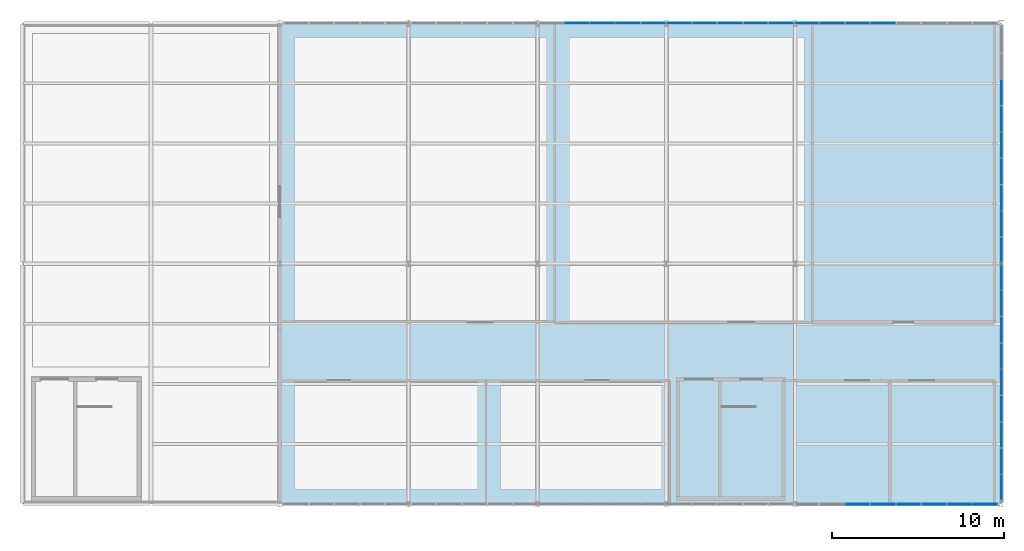
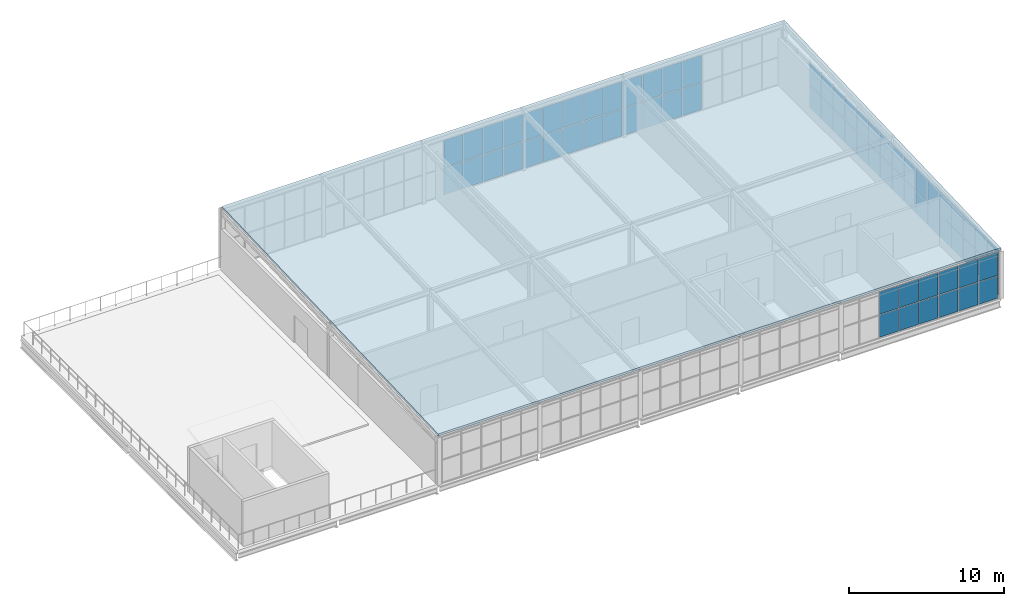
# One storey, part 24 of 27: 70 plates, 1 slab, 3 elements without a shape of their own.
"""IFC4 building model written with IfcOpenShell, lengths in metres."""

from ifc_helpers import new_model, si_unit, direction, frame, origin, origin_2d, place, context, subcontext, project, spatial, polyline, rectangle, outline, extrude, material, layer, layer_set, type_object, element, aggregate, save


model = new_model("IFC4")

# Units and contexts
model_context = context("Model", 3, precision=1e-05, world=origin(), true_north=direction((0.0, 1.0)))
body_context = subcontext(model_context, "Body", "Model", "MODEL_VIEW")
ifc_project = project(units=[si_unit("LENGTHUNIT", "METRE"), si_unit("AREAUNIT", "SQUARE_METRE"), si_unit("VOLUMEUNIT", "CUBIC_METRE"), si_unit("PLANEANGLEUNIT", "RADIAN"), si_unit("MASSUNIT", "GRAM", prefix="KILO")], contexts=[model_context])

# Site, building, storey
site_placement = place(None, origin())
site = spatial("IfcSite", under=ifc_project, at=site_placement, CompositionType="ELEMENT")
building_placement = place(site_placement, origin())
building = spatial("IfcBuilding", under=site, at=building_placement, Name="Solvenia Promenade Tram Depot", CompositionType="ELEMENT")
storey_placement = place(building_placement, frame((0.0, 0.0, 13.5)))
storey = spatial("IfcBuildingStorey", under=building, at=storey_placement, Name="L03", CompositionType="ELEMENT", Elevation=13.5)

# Curtain wall, plates
ifc_material_1 = material(Name="Anodized aluminium AW-6063 T6", Category="aluminium")
ifc_layer_1 = layer(ifc_material_1, 0.199951171875, Name="Anodized aluminium AW-6063 T6", Category="aluminium")
ifc_layer_set_1 = layer_set([ifc_layer_1], Name="Anodized aluminium AW-6063 T6")
curtain_wall_type = type_object("IfcCurtainWallType", Name="CW-OCC-1500", PredefinedType="NOTDEFINED", material=ifc_layer_set_1)
curtain_wall_1_placement = place(storey_placement, origin())
curtain_wall_1 = element("IfcCurtainWall", 1, at=curtain_wall_1_placement, inside=storey, type_object=curtain_wall_type, Name="Curtain Wall CW-L03-V2N", PredefinedType="NOTDEFINED")
ifc_material_2 = material(Name="Double low-e argon insulated glass", Category="glass")
ifc_layer_2 = layer(ifc_material_2, 0.031982421875, Name="Double low-e argon insulated glass", Category="glass")
ifc_layer_set_2 = layer_set([ifc_layer_2], Name="Double low-e argon insulated glass")
plate_type_1 = type_object("IfcPlateType", Name="CWP-Panel-2", PredefinedType="CURTAIN_PANEL", material=ifc_layer_set_2)
plate_1_placement = place(storey_placement, frame((137.28564453125, 66.0, 0.05517578125), z_axis=(0.0, 0.0, 1.0), x_axis=(1.0, 0.0, 0.0)))
plate_1 = element("IfcPlate", 2, at=plate_1_placement, type_object=plate_type_1, Name="CW-8 panel 12.1", PredefinedType="CURTAIN_PANEL", context=body_context, shape_type="SweptSolid", body=[
    extrude(rectangle(XDim=1.4306640625, YDim=0.031982421875, at=origin_2d()), origin(), (0.0, 0.0, 1.0), 2.117431640625),
])
plate_2_placement = place(storey_placement, frame((137.28564453125, 66.0, 2.2275390625), z_axis=(0.0, 0.0, 1.0), x_axis=(1.0, 0.0, 0.0)))
plate_2 = element("IfcPlate", 3, at=plate_2_placement, type_object=plate_type_1, Name="CW-8 panel 12.2", PredefinedType="CURTAIN_PANEL", context=body_context, shape_type="SweptSolid", body=[
    extrude(rectangle(XDim=1.4306640625, YDim=0.031982421875, at=origin_2d()), origin(), (0.0, 0.0, 1.0), 2.117431640625),
])
plate_3_placement = place(storey_placement, frame((138.771484375, 66.0, 0.05517578125), z_axis=(0.0, 0.0, 1.0), x_axis=(1.0, 0.0, 0.0)))
plate_3 = element("IfcPlate", 4, at=plate_3_placement, type_object=plate_type_1, Name="CW-8 panel 13.1", PredefinedType="CURTAIN_PANEL", context=body_context, shape_type="SweptSolid", body=[
    extrude(rectangle(XDim=1.4306640625, YDim=0.031982421875, at=origin_2d()), origin(), (0.0, 0.0, 1.0), 2.117431640625),
])
plate_4_placement = place(storey_placement, frame((138.771484375, 66.0, 2.2275390625), z_axis=(0.0, 0.0, 1.0), x_axis=(1.0, 0.0, 0.0)))
plate_4 = element("IfcPlate", 5, at=plate_4_placement, type_object=plate_type_1, Name="CW-8 panel 13.2", PredefinedType="CURTAIN_PANEL", context=body_context, shape_type="SweptSolid", body=[
    extrude(rectangle(XDim=1.4306640625, YDim=0.031982421875, at=origin_2d()), origin(), (0.0, 0.0, 1.0), 2.117431640625),
])
plate_5_placement = place(storey_placement, frame((140.257080078125, 66.0, 0.05517578125), z_axis=(0.0, 0.0, 1.0), x_axis=(1.0, 0.0, 0.0)))
plate_5 = element("IfcPlate", 6, at=plate_5_placement, type_object=plate_type_1, Name="CW-8 panel 14.1", PredefinedType="CURTAIN_PANEL", context=body_context, shape_type="SweptSolid", body=[
    extrude(rectangle(XDim=1.4306640625, YDim=0.031982421875, at=origin_2d()), origin(), (0.0, 0.0, 1.0), 2.117431640625),
])
plate_6_placement = place(storey_placement, frame((140.257080078125, 66.0, 2.2275390625), z_axis=(0.0, 0.0, 1.0), x_axis=(1.0, 0.0, 0.0)))
plate_6 = element("IfcPlate", 7, at=plate_6_placement, type_object=plate_type_1, Name="CW-8 panel 14.2", PredefinedType="CURTAIN_PANEL", context=body_context, shape_type="SweptSolid", body=[
    extrude(rectangle(XDim=1.4306640625, YDim=0.031982421875, at=origin_2d()), origin(), (0.0, 0.0, 1.0), 2.117431640625),
])
plate_7_placement = place(storey_placement, frame((141.742919921875, 66.0, 0.05517578125), z_axis=(0.0, 0.0, 1.0), x_axis=(1.0, 0.0, 0.0)))
plate_7 = element("IfcPlate", 8, at=plate_7_placement, type_object=plate_type_1, Name="CW-8 panel 15.1", PredefinedType="CURTAIN_PANEL", context=body_context, shape_type="SweptSolid", body=[
    extrude(rectangle(XDim=1.4306640625, YDim=0.031982421875, at=origin_2d()), origin(), (0.0, 0.0, 1.0), 2.117431640625),
])
plate_8_placement = place(storey_placement, frame((141.742919921875, 66.0, 2.2275390625), z_axis=(0.0, 0.0, 1.0), x_axis=(1.0, 0.0, 0.0)))
plate_8 = element("IfcPlate", 9, at=plate_8_placement, type_object=plate_type_1, Name="CW-8 panel 15.2", PredefinedType="CURTAIN_PANEL", context=body_context, shape_type="SweptSolid", body=[
    extrude(rectangle(XDim=1.4306640625, YDim=0.031982421875, at=origin_2d()), origin(), (0.0, 0.0, 1.0), 2.117431640625),
])
plate_9_placement = place(storey_placement, frame((143.228515625, 66.0, 0.05517578125), z_axis=(0.0, 0.0, 1.0), x_axis=(1.0, 0.0, 0.0)))
plate_9 = element("IfcPlate", 10, at=plate_9_placement, type_object=plate_type_1, Name="CW-8 panel 16.1", PredefinedType="CURTAIN_PANEL", context=body_context, shape_type="SweptSolid", body=[
    extrude(rectangle(XDim=1.4306640625, YDim=0.031982421875, at=origin_2d()), origin(), (0.0, 0.0, 1.0), 2.117431640625),
])
plate_10_placement = place(storey_placement, frame((143.228515625, 66.0, 2.2275390625), z_axis=(0.0, 0.0, 1.0), x_axis=(1.0, 0.0, 0.0)))
plate_10 = element("IfcPlate", 11, at=plate_10_placement, type_object=plate_type_1, Name="CW-8 panel 16.2", PredefinedType="CURTAIN_PANEL", context=body_context, shape_type="SweptSolid", body=[
    extrude(rectangle(XDim=1.4306640625, YDim=0.031982421875, at=origin_2d()), origin(), (0.0, 0.0, 1.0), 2.117431640625),
])
plate_11_placement = place(storey_placement, frame((144.71435546875, 66.0, 0.05517578125), z_axis=(0.0, 0.0, 1.0), x_axis=(1.0, 0.0, 0.0)))
plate_11 = element("IfcPlate", 12, at=plate_11_placement, type_object=plate_type_1, Name="CW-8 panel 17.1", PredefinedType="CURTAIN_PANEL", context=body_context, shape_type="SweptSolid", body=[
    extrude(rectangle(XDim=1.4306640625, YDim=0.031982421875, at=origin_2d()), origin(), (0.0, 0.0, 1.0), 2.117431640625),
])
plate_12_placement = place(storey_placement, frame((144.71435546875, 66.0, 2.2275390625), z_axis=(0.0, 0.0, 1.0), x_axis=(1.0, 0.0, 0.0)))
plate_12 = element("IfcPlate", 13, at=plate_12_placement, type_object=plate_type_1, Name="CW-8 panel 17.2", PredefinedType="CURTAIN_PANEL", context=body_context, shape_type="SweptSolid", body=[
    extrude(rectangle(XDim=1.4306640625, YDim=0.031982421875, at=origin_2d()), origin(), (0.0, 0.0, 1.0), 2.117431640625),
])
plate_13_placement = place(storey_placement, frame((146.199951171875, 66.0, 0.05517578125), z_axis=(0.0, 0.0, 1.0), x_axis=(1.0, 0.0, 0.0)))
plate_13 = element("IfcPlate", 14, at=plate_13_placement, type_object=plate_type_1, Name="CW-8 panel 18.1", PredefinedType="CURTAIN_PANEL", context=body_context, shape_type="SweptSolid", body=[
    extrude(rectangle(XDim=1.4306640625, YDim=0.031982421875, at=origin_2d()), origin(), (0.0, 0.0, 1.0), 2.117431640625),
])
plate_14_placement = place(storey_placement, frame((146.199951171875, 66.0, 2.2275390625), z_axis=(0.0, 0.0, 1.0), x_axis=(1.0, 0.0, 0.0)))
plate_14 = element("IfcPlate", 15, at=plate_14_placement, type_object=plate_type_1, Name="CW-8 panel 18.2", PredefinedType="CURTAIN_PANEL", context=body_context, shape_type="SweptSolid", body=[
    extrude(rectangle(XDim=1.4306640625, YDim=0.031982421875, at=origin_2d()), origin(), (0.0, 0.0, 1.0), 2.117431640625),
])
plate_15_placement = place(storey_placement, frame((147.685791015625, 66.0, 0.05517578125), z_axis=(0.0, 0.0, 1.0), x_axis=(1.0, 0.0, 0.0)))
plate_15 = element("IfcPlate", 16, at=plate_15_placement, type_object=plate_type_1, Name="CW-8 panel 19.1", PredefinedType="CURTAIN_PANEL", context=body_context, shape_type="SweptSolid", body=[
    extrude(rectangle(XDim=1.4306640625, YDim=0.031982421875, at=origin_2d()), origin(), (0.0, 0.0, 1.0), 2.117431640625),
])
plate_16_placement = place(storey_placement, frame((147.685791015625, 66.0, 2.2275390625), z_axis=(0.0, 0.0, 1.0), x_axis=(1.0, 0.0, 0.0)))
plate_16 = element("IfcPlate", 17, at=plate_16_placement, type_object=plate_type_1, Name="CW-8 panel 19.2", PredefinedType="CURTAIN_PANEL", context=body_context, shape_type="SweptSolid", body=[
    extrude(rectangle(XDim=1.4306640625, YDim=0.031982421875, at=origin_2d()), origin(), (0.0, 0.0, 1.0), 2.117431640625),
])
plate_17_placement = place(storey_placement, frame((149.17138671875, 66.0, 0.05517578125), z_axis=(0.0, 0.0, 1.0), x_axis=(1.0, 0.0, 0.0)))
plate_17 = element("IfcPlate", 18, at=plate_17_placement, type_object=plate_type_1, Name="CW-8 panel 20.1", PredefinedType="CURTAIN_PANEL", context=body_context, shape_type="SweptSolid", body=[
    extrude(rectangle(XDim=1.4306640625, YDim=0.031982421875, at=origin_2d()), origin(), (0.0, 0.0, 1.0), 2.117431640625),
])
plate_18_placement = place(storey_placement, frame((149.17138671875, 66.0, 2.2275390625), z_axis=(0.0, 0.0, 1.0), x_axis=(1.0, 0.0, 0.0)))
plate_18 = element("IfcPlate", 19, at=plate_18_placement, type_object=plate_type_1, Name="CW-8 panel 20.2", PredefinedType="CURTAIN_PANEL", context=body_context, shape_type="SweptSolid", body=[
    extrude(rectangle(XDim=1.4306640625, YDim=0.031982421875, at=origin_2d()), origin(), (0.0, 0.0, 1.0), 2.117431640625),
])
plate_19_placement = place(storey_placement, frame((150.6572265625, 66.0, 0.05517578125), z_axis=(0.0, 0.0, 1.0), x_axis=(1.0, 0.0, 0.0)))
plate_19 = element("IfcPlate", 20, at=plate_19_placement, type_object=plate_type_1, Name="CW-8 panel 21.1", PredefinedType="CURTAIN_PANEL", context=body_context, shape_type="SweptSolid", body=[
    extrude(rectangle(XDim=1.4306640625, YDim=0.031982421875, at=origin_2d()), origin(), (0.0, 0.0, 1.0), 2.117431640625),
])
plate_20_placement = place(storey_placement, frame((150.6572265625, 66.0, 2.2275390625), z_axis=(0.0, 0.0, 1.0), x_axis=(1.0, 0.0, 0.0)))
plate_20 = element("IfcPlate", 21, at=plate_20_placement, type_object=plate_type_1, Name="CW-8 panel 21.2", PredefinedType="CURTAIN_PANEL", context=body_context, shape_type="SweptSolid", body=[
    extrude(rectangle(XDim=1.4306640625, YDim=0.031982421875, at=origin_2d()), origin(), (0.0, 0.0, 1.0), 2.117431640625),
])
plate_21_placement = place(storey_placement, frame((152.142822265625, 66.0, 0.05517578125), z_axis=(0.0, 0.0, 1.0), x_axis=(1.0, 0.0, 0.0)))
plate_21 = element("IfcPlate", 22, at=plate_21_placement, type_object=plate_type_1, Name="CW-8 panel 22.1", PredefinedType="CURTAIN_PANEL", context=body_context, shape_type="SweptSolid", body=[
    extrude(rectangle(XDim=1.4306640625, YDim=0.031982421875, at=origin_2d()), origin(), (0.0, 0.0, 1.0), 2.117431640625),
])
plate_22_placement = place(storey_placement, frame((152.142822265625, 66.0, 2.2275390625), z_axis=(0.0, 0.0, 1.0), x_axis=(1.0, 0.0, 0.0)))
plate_22 = element("IfcPlate", 23, at=plate_22_placement, type_object=plate_type_1, Name="CW-8 panel 22.2", PredefinedType="CURTAIN_PANEL", context=body_context, shape_type="SweptSolid", body=[
    extrude(rectangle(XDim=1.4306640625, YDim=0.031982421875, at=origin_2d()), origin(), (0.0, 0.0, 1.0), 2.117431640625),
])
plate_23_placement = place(storey_placement, frame((153.628662109375, 66.0, 0.05517578125), z_axis=(0.0, 0.0, 1.0), x_axis=(1.0, 0.0, 0.0)))
plate_23 = element("IfcPlate", 24, at=plate_23_placement, type_object=plate_type_1, Name="CW-8 panel 23.1", PredefinedType="CURTAIN_PANEL", context=body_context, shape_type="SweptSolid", body=[
    extrude(rectangle(XDim=1.4306640625, YDim=0.031982421875, at=origin_2d()), origin(), (0.0, 0.0, 1.0), 2.117431640625),
])
plate_24_placement = place(storey_placement, frame((153.628662109375, 66.0, 2.2275390625), z_axis=(0.0, 0.0, 1.0), x_axis=(1.0, 0.0, 0.0)))
plate_24 = element("IfcPlate", 25, at=plate_24_placement, type_object=plate_type_1, Name="CW-8 panel 23.2", PredefinedType="CURTAIN_PANEL", context=body_context, shape_type="SweptSolid", body=[
    extrude(rectangle(XDim=1.4306640625, YDim=0.031982421875, at=origin_2d()), origin(), (0.0, 0.0, 1.0), 2.117431640625),
])
plate_25_placement = place(storey_placement, frame((155.1142578125, 66.0, 0.05517578125), z_axis=(0.0, 0.0, 1.0), x_axis=(1.0, 0.0, 0.0)))
plate_25 = element("IfcPlate", 26, at=plate_25_placement, type_object=plate_type_1, Name="CW-8 panel 24.1", PredefinedType="CURTAIN_PANEL", context=body_context, shape_type="SweptSolid", body=[
    extrude(rectangle(XDim=1.4306640625, YDim=0.031982421875, at=origin_2d()), origin(), (0.0, 0.0, 1.0), 2.117431640625),
])
plate_26_placement = place(storey_placement, frame((155.1142578125, 66.0, 2.2275390625), z_axis=(0.0, 0.0, 1.0), x_axis=(1.0, 0.0, 0.0)))
plate_26 = element("IfcPlate", 27, at=plate_26_placement, type_object=plate_type_1, Name="CW-8 panel 24.2", PredefinedType="CURTAIN_PANEL", context=body_context, shape_type="SweptSolid", body=[
    extrude(rectangle(XDim=1.4306640625, YDim=0.031982421875, at=origin_2d()), origin(), (0.0, 0.0, 1.0), 2.117431640625),
])
aggregate(curtain_wall_1, [plate_1, plate_2, plate_3, plate_4, plate_5, plate_6, plate_7, plate_8, plate_9, plate_10, plate_11, plate_12, plate_13, plate_14, plate_15, plate_16, plate_17, plate_18, plate_19, plate_20, plate_21, plate_22, plate_23, plate_24, plate_25, plate_26])

curtain_wall_2_placement = place(storey_placement, origin())
curtain_wall_2 = element("IfcCurtainWall", 28, at=curtain_wall_2_placement, inside=storey, type_object=curtain_wall_type, Name="Curtain Wall CW-L03-V2S", PredefinedType="NOTDEFINED")
ifc_layer_3 = layer(ifc_material_2, 0.035888671875, Name="Double low-e argon insulated glass", Category="glass")
ifc_layer_set_3 = layer_set([ifc_layer_3], Name="Double low-e argon insulated glass")
plate_type_2 = type_object("IfcPlateType", Name="CWP-Panel-3", PredefinedType="CURTAIN_PANEL", material=ifc_layer_set_3)
plate_27_placement = place(storey_placement, frame((153.628662109375, 38.0, 0.05810546875), z_axis=(0.0, 0.0, 1.0), x_axis=(1.0, 0.0, 0.0)))
plate_27 = element("IfcPlate", 29, at=plate_27_placement, type_object=plate_type_2, Name="CW-8 panel 23.1", PredefinedType="CURTAIN_PANEL", context=body_context, shape_type="SweptSolid", body=[
    extrude(rectangle(XDim=1.437744140625, YDim=0.035888671875, at=origin_2d()), origin(), (0.0, 0.0, 1.0), 1.762939453125),
])
plate_28_placement = place(storey_placement, frame((153.628662109375, 38.0, 1.87890625), z_axis=(0.0, 0.0, 1.0), x_axis=(1.0, 0.0, 0.0)))
plate_28 = element("IfcPlate", 30, at=plate_28_placement, type_object=plate_type_2, Name="CW-8 panel 23.2", PredefinedType="CURTAIN_PANEL", context=body_context, shape_type="SweptSolid", body=[
    extrude(rectangle(XDim=1.437744140625, YDim=0.035888671875, at=origin_2d()), origin(), (0.0, 0.0, 1.0), 1.762939453125),
])
plate_29_placement = place(storey_placement, frame((155.1142578125, 38.0, 0.05810546875), z_axis=(0.0, 0.0, 1.0), x_axis=(1.0, 0.0, 0.0)))
plate_29 = element("IfcPlate", 31, at=plate_29_placement, type_object=plate_type_2, Name="CW-8 panel 24.1", PredefinedType="CURTAIN_PANEL", context=body_context, shape_type="SweptSolid", body=[
    extrude(rectangle(XDim=1.437744140625, YDim=0.035888671875, at=origin_2d()), origin(), (0.0, 0.0, 1.0), 1.762939453125),
])
plate_30_placement = place(storey_placement, frame((155.1142578125, 38.0, 1.87890625), z_axis=(0.0, 0.0, 1.0), x_axis=(1.0, 0.0, 0.0)))
plate_30 = element("IfcPlate", 32, at=plate_30_placement, type_object=plate_type_2, Name="CW-8 panel 24.2", PredefinedType="CURTAIN_PANEL", context=body_context, shape_type="SweptSolid", body=[
    extrude(rectangle(XDim=1.437744140625, YDim=0.035888671875, at=origin_2d()), origin(), (0.0, 0.0, 1.0), 1.762939453125),
])
plate_31_placement = place(storey_placement, frame((156.60009765625, 38.0, 0.05810546875), z_axis=(0.0, 0.0, 1.0), x_axis=(1.0, 0.0, 0.0)))
plate_31 = element("IfcPlate", 33, at=plate_31_placement, type_object=plate_type_2, Name="CW-8 panel 25.1", PredefinedType="CURTAIN_PANEL", context=body_context, shape_type="SweptSolid", body=[
    extrude(rectangle(XDim=1.437744140625, YDim=0.035888671875, at=origin_2d()), origin(), (0.0, 0.0, 1.0), 1.762939453125),
])
plate_32_placement = place(storey_placement, frame((156.60009765625, 38.0, 1.87890625), z_axis=(0.0, 0.0, 1.0), x_axis=(1.0, 0.0, 0.0)))
plate_32 = element("IfcPlate", 34, at=plate_32_placement, type_object=plate_type_2, Name="CW-8 panel 25.2", PredefinedType="CURTAIN_PANEL", context=body_context, shape_type="SweptSolid", body=[
    extrude(rectangle(XDim=1.437744140625, YDim=0.035888671875, at=origin_2d()), origin(), (0.0, 0.0, 1.0), 1.762939453125),
])
plate_33_placement = place(storey_placement, frame((158.085693359375, 38.0, 0.05810546875), z_axis=(0.0, 0.0, 1.0), x_axis=(1.0, 0.0, 0.0)))
plate_33 = element("IfcPlate", 35, at=plate_33_placement, type_object=plate_type_2, Name="CW-8 panel 26.1", PredefinedType="CURTAIN_PANEL", context=body_context, shape_type="SweptSolid", body=[
    extrude(rectangle(XDim=1.437744140625, YDim=0.035888671875, at=origin_2d()), origin(), (0.0, 0.0, 1.0), 1.762939453125),
])
plate_34_placement = place(storey_placement, frame((158.085693359375, 38.0, 1.87890625), z_axis=(0.0, 0.0, 1.0), x_axis=(1.0, 0.0, 0.0)))
plate_34 = element("IfcPlate", 36, at=plate_34_placement, type_object=plate_type_2, Name="CW-8 panel 26.2", PredefinedType="CURTAIN_PANEL", context=body_context, shape_type="SweptSolid", body=[
    extrude(rectangle(XDim=1.437744140625, YDim=0.035888671875, at=origin_2d()), origin(), (0.0, 0.0, 1.0), 1.762939453125),
])
plate_35_placement = place(storey_placement, frame((159.571533203125, 38.0, 0.05810546875), z_axis=(0.0, 0.0, 1.0), x_axis=(1.0, 0.0, 0.0)))
plate_35 = element("IfcPlate", 37, at=plate_35_placement, type_object=plate_type_2, Name="CW-8 panel 27.1", PredefinedType="CURTAIN_PANEL", context=body_context, shape_type="SweptSolid", body=[
    extrude(rectangle(XDim=1.437744140625, YDim=0.035888671875, at=origin_2d()), origin(), (0.0, 0.0, 1.0), 1.762939453125),
])
plate_36_placement = place(storey_placement, frame((159.571533203125, 38.0, 1.87890625), z_axis=(0.0, 0.0, 1.0), x_axis=(1.0, 0.0, 0.0)))
plate_36 = element("IfcPlate", 38, at=plate_36_placement, type_object=plate_type_2, Name="CW-8 panel 27.2", PredefinedType="CURTAIN_PANEL", context=body_context, shape_type="SweptSolid", body=[
    extrude(rectangle(XDim=1.437744140625, YDim=0.035888671875, at=origin_2d()), origin(), (0.0, 0.0, 1.0), 1.762939453125),
])
plate_37_placement = place(storey_placement, frame((161.045166015625, 38.0, 0.05810546875), z_axis=(0.0, 0.0, 1.0), x_axis=(1.0, 0.0, 0.0)))
plate_37 = element("IfcPlate", 39, at=plate_37_placement, type_object=plate_type_2, Name="CW-8 panel 28.1", PredefinedType="CURTAIN_PANEL", context=body_context, shape_type="SweptSolid", body=[
    extrude(rectangle(XDim=1.413818359375, YDim=0.035888671875, at=origin_2d()), origin(), (0.0, 0.0, 1.0), 1.762939453125),
])
plate_38_placement = place(storey_placement, frame((161.045166015625, 38.0, 1.87890625), z_axis=(0.0, 0.0, 1.0), x_axis=(1.0, 0.0, 0.0)))
plate_38 = element("IfcPlate", 40, at=plate_38_placement, type_object=plate_type_2, Name="CW-8 panel 28.2", PredefinedType="CURTAIN_PANEL", context=body_context, shape_type="SweptSolid", body=[
    extrude(rectangle(XDim=1.413818359375, YDim=0.035888671875, at=origin_2d()), origin(), (0.0, 0.0, 1.0), 1.762939453125),
])
aggregate(curtain_wall_2, [plate_27, plate_28, plate_29, plate_30, plate_31, plate_32, plate_33, plate_34, plate_35, plate_36, plate_37, plate_38])

curtain_wall_3_placement = place(storey_placement, origin())
curtain_wall_3 = element("IfcCurtainWall", 41, at=curtain_wall_3_placement, inside=storey, type_object=curtain_wall_type, Name="Curtain Wall CW-L03-V2E", PredefinedType="NOTDEFINED")
plate_39_placement = place(storey_placement, frame((162.0, 38.978759765625, 0.05810546875), z_axis=(0.0, 0.0, 1.0), x_axis=(0.0, 1.0, 0.0)))
plate_39 = element("IfcPlate", 42, at=plate_39_placement, type_object=plate_type_2, Name="CW-8 panel 1.1", PredefinedType="CURTAIN_PANEL", context=body_context, shape_type="SweptSolid", body=[
    extrude(rectangle(XDim=1.46142578125, YDim=0.035888671875, at=origin_2d()), origin(), (0.0, 0.0, 1.0), 1.762939453125),
])
plate_40_placement = place(storey_placement, frame((162.0, 38.978759765625, 1.87890625), z_axis=(0.0, 0.0, 1.0), x_axis=(0.0, 1.0, 0.0)))
plate_40 = element("IfcPlate", 43, at=plate_40_placement, type_object=plate_type_2, Name="CW-8 panel 1.2", PredefinedType="CURTAIN_PANEL", context=body_context, shape_type="SweptSolid", body=[
    extrude(rectangle(XDim=1.46142578125, YDim=0.035888671875, at=origin_2d()), origin(), (0.0, 0.0, 1.0), 1.762939453125),
])
plate_41_placement = place(storey_placement, frame((162.0, 40.5, 0.05810546875), z_axis=(0.0, 0.0, 1.0), x_axis=(0.0, 1.0, 0.0)))
plate_41 = element("IfcPlate", 44, at=plate_41_placement, type_object=plate_type_2, Name="CW-8 panel 2.1", PredefinedType="CURTAIN_PANEL", context=body_context, shape_type="SweptSolid", body=[
    extrude(rectangle(XDim=1.4853515625, YDim=0.035888671875, at=origin_2d()), origin(), (0.0, 0.0, 1.0), 1.762939453125),
])
plate_42_placement = place(storey_placement, frame((162.0, 40.5, 1.87890625), z_axis=(0.0, 0.0, 1.0), x_axis=(0.0, 1.0, 0.0)))
plate_42 = element("IfcPlate", 45, at=plate_42_placement, type_object=plate_type_2, Name="CW-8 panel 2.2", PredefinedType="CURTAIN_PANEL", context=body_context, shape_type="SweptSolid", body=[
    extrude(rectangle(XDim=1.4853515625, YDim=0.035888671875, at=origin_2d()), origin(), (0.0, 0.0, 1.0), 1.762939453125),
])
plate_43_placement = place(storey_placement, frame((162.0, 42.033447265625, 0.05810546875), z_axis=(0.0, 0.0, 1.0), x_axis=(0.0, 1.0, 0.0)))
plate_43 = element("IfcPlate", 46, at=plate_43_placement, type_object=plate_type_2, Name="CW-8 panel 3.1", PredefinedType="CURTAIN_PANEL", context=body_context, shape_type="SweptSolid", body=[
    extrude(rectangle(XDim=1.4853515625, YDim=0.035888671875, at=origin_2d()), origin(), (0.0, 0.0, 1.0), 1.762939453125),
])
plate_44_placement = place(storey_placement, frame((162.0, 42.033447265625, 1.87890625), z_axis=(0.0, 0.0, 1.0), x_axis=(0.0, 1.0, 0.0)))
plate_44 = element("IfcPlate", 47, at=plate_44_placement, type_object=plate_type_2, Name="CW-8 panel 3.2", PredefinedType="CURTAIN_PANEL", context=body_context, shape_type="SweptSolid", body=[
    extrude(rectangle(XDim=1.4853515625, YDim=0.035888671875, at=origin_2d()), origin(), (0.0, 0.0, 1.0), 1.762939453125),
])
plate_45_placement = place(storey_placement, frame((162.0, 43.566650390625, 0.05810546875), z_axis=(0.0, 0.0, 1.0), x_axis=(0.0, 1.0, 0.0)))
plate_45 = element("IfcPlate", 48, at=plate_45_placement, type_object=plate_type_2, Name="CW-8 panel 4.1", PredefinedType="CURTAIN_PANEL", context=body_context, shape_type="SweptSolid", body=[
    extrude(rectangle(XDim=1.4853515625, YDim=0.035888671875, at=origin_2d()), origin(), (0.0, 0.0, 1.0), 1.762939453125),
])
plate_46_placement = place(storey_placement, frame((162.0, 43.566650390625, 1.87890625), z_axis=(0.0, 0.0, 1.0), x_axis=(0.0, 1.0, 0.0)))
plate_46 = element("IfcPlate", 49, at=plate_46_placement, type_object=plate_type_2, Name="CW-8 panel 4.2", PredefinedType="CURTAIN_PANEL", context=body_context, shape_type="SweptSolid", body=[
    extrude(rectangle(XDim=1.4853515625, YDim=0.035888671875, at=origin_2d()), origin(), (0.0, 0.0, 1.0), 1.762939453125),
])
plate_47_placement = place(storey_placement, frame((162.0, 45.10009765625, 0.05810546875), z_axis=(0.0, 0.0, 1.0), x_axis=(0.0, 1.0, 0.0)))
plate_47 = element("IfcPlate", 50, at=plate_47_placement, type_object=plate_type_2, Name="CW-8 panel 5.1", PredefinedType="CURTAIN_PANEL", context=body_context, shape_type="SweptSolid", body=[
    extrude(rectangle(XDim=1.4853515625, YDim=0.035888671875, at=origin_2d()), origin(), (0.0, 0.0, 1.0), 1.762939453125),
])
plate_48_placement = place(storey_placement, frame((162.0, 45.10009765625, 1.87890625), z_axis=(0.0, 0.0, 1.0), x_axis=(0.0, 1.0, 0.0)))
plate_48 = element("IfcPlate", 51, at=plate_48_placement, type_object=plate_type_2, Name="CW-8 panel 5.2", PredefinedType="CURTAIN_PANEL", context=body_context, shape_type="SweptSolid", body=[
    extrude(rectangle(XDim=1.4853515625, YDim=0.035888671875, at=origin_2d()), origin(), (0.0, 0.0, 1.0), 1.762939453125),
])
plate_49_placement = place(storey_placement, frame((162.0, 46.63330078125, 0.05810546875), z_axis=(0.0, 0.0, 1.0), x_axis=(0.0, 1.0, 0.0)))
plate_49 = element("IfcPlate", 52, at=plate_49_placement, type_object=plate_type_2, Name="CW-8 panel 6.1", PredefinedType="CURTAIN_PANEL", context=body_context, shape_type="SweptSolid", body=[
    extrude(rectangle(XDim=1.4853515625, YDim=0.035888671875, at=origin_2d()), origin(), (0.0, 0.0, 1.0), 1.762939453125),
])
plate_50_placement = place(storey_placement, frame((162.0, 46.63330078125, 1.87890625), z_axis=(0.0, 0.0, 1.0), x_axis=(0.0, 1.0, 0.0)))
plate_50 = element("IfcPlate", 53, at=plate_50_placement, type_object=plate_type_2, Name="CW-8 panel 6.2", PredefinedType="CURTAIN_PANEL", context=body_context, shape_type="SweptSolid", body=[
    extrude(rectangle(XDim=1.4853515625, YDim=0.035888671875, at=origin_2d()), origin(), (0.0, 0.0, 1.0), 1.762939453125),
])
plate_51_placement = place(storey_placement, frame((162.0, 48.166748046875, 0.05810546875), z_axis=(0.0, 0.0, 1.0), x_axis=(0.0, 1.0, 0.0)))
plate_51 = element("IfcPlate", 54, at=plate_51_placement, type_object=plate_type_2, Name="CW-8 panel 7.1", PredefinedType="CURTAIN_PANEL", context=body_context, shape_type="SweptSolid", body=[
    extrude(rectangle(XDim=1.4853515625, YDim=0.035888671875, at=origin_2d()), origin(), (0.0, 0.0, 1.0), 1.762939453125),
])
plate_52_placement = place(storey_placement, frame((162.0, 48.166748046875, 1.87890625), z_axis=(0.0, 0.0, 1.0), x_axis=(0.0, 1.0, 0.0)))
plate_52 = element("IfcPlate", 55, at=plate_52_placement, type_object=plate_type_2, Name="CW-8 panel 7.2", PredefinedType="CURTAIN_PANEL", context=body_context, shape_type="SweptSolid", body=[
    extrude(rectangle(XDim=1.4853515625, YDim=0.035888671875, at=origin_2d()), origin(), (0.0, 0.0, 1.0), 1.762939453125),
])
plate_53_placement = place(storey_placement, frame((162.0, 49.699951171875, 0.05810546875), z_axis=(0.0, 0.0, 1.0), x_axis=(0.0, 1.0, 0.0)))
plate_53 = element("IfcPlate", 56, at=plate_53_placement, type_object=plate_type_2, Name="CW-8 panel 8.1", PredefinedType="CURTAIN_PANEL", context=body_context, shape_type="SweptSolid", body=[
    extrude(rectangle(XDim=1.4853515625, YDim=0.035888671875, at=origin_2d()), origin(), (0.0, 0.0, 1.0), 1.762939453125),
])
plate_54_placement = place(storey_placement, frame((162.0, 49.699951171875, 1.87890625), z_axis=(0.0, 0.0, 1.0), x_axis=(0.0, 1.0, 0.0)))
plate_54 = element("IfcPlate", 57, at=plate_54_placement, type_object=plate_type_2, Name="CW-8 panel 8.2", PredefinedType="CURTAIN_PANEL", context=body_context, shape_type="SweptSolid", body=[
    extrude(rectangle(XDim=1.4853515625, YDim=0.035888671875, at=origin_2d()), origin(), (0.0, 0.0, 1.0), 1.762939453125),
])
plate_55_placement = place(storey_placement, frame((162.0, 51.2333984375, 0.05810546875), z_axis=(0.0, 0.0, 1.0), x_axis=(0.0, 1.0, 0.0)))
plate_55 = element("IfcPlate", 58, at=plate_55_placement, type_object=plate_type_2, Name="CW-8 panel 9.1", PredefinedType="CURTAIN_PANEL", context=body_context, shape_type="SweptSolid", body=[
    extrude(rectangle(XDim=1.4853515625, YDim=0.035888671875, at=origin_2d()), origin(), (0.0, 0.0, 1.0), 1.762939453125),
])
plate_56_placement = place(storey_placement, frame((162.0, 51.2333984375, 1.87890625), z_axis=(0.0, 0.0, 1.0), x_axis=(0.0, 1.0, 0.0)))
plate_56 = element("IfcPlate", 59, at=plate_56_placement, type_object=plate_type_2, Name="CW-8 panel 9.2", PredefinedType="CURTAIN_PANEL", context=body_context, shape_type="SweptSolid", body=[
    extrude(rectangle(XDim=1.4853515625, YDim=0.035888671875, at=origin_2d()), origin(), (0.0, 0.0, 1.0), 1.762939453125),
])
plate_57_placement = place(storey_placement, frame((162.0, 52.7666015625, 0.05810546875), z_axis=(0.0, 0.0, 1.0), x_axis=(0.0, 1.0, 0.0)))
plate_57 = element("IfcPlate", 60, at=plate_57_placement, type_object=plate_type_2, Name="CW-8 panel 10.1", PredefinedType="CURTAIN_PANEL", context=body_context, shape_type="SweptSolid", body=[
    extrude(rectangle(XDim=1.4853515625, YDim=0.035888671875, at=origin_2d()), origin(), (0.0, 0.0, 1.0), 1.762939453125),
])
plate_58_placement = place(storey_placement, frame((162.0, 52.7666015625, 1.87890625), z_axis=(0.0, 0.0, 1.0), x_axis=(0.0, 1.0, 0.0)))
plate_58 = element("IfcPlate", 61, at=plate_58_placement, type_object=plate_type_2, Name="CW-8 panel 10.2", PredefinedType="CURTAIN_PANEL", context=body_context, shape_type="SweptSolid", body=[
    extrude(rectangle(XDim=1.4853515625, YDim=0.035888671875, at=origin_2d()), origin(), (0.0, 0.0, 1.0), 1.762939453125),
])
plate_59_placement = place(storey_placement, frame((162.0, 54.300048828125, 0.05810546875), z_axis=(0.0, 0.0, 1.0), x_axis=(0.0, 1.0, 0.0)))
plate_59 = element("IfcPlate", 62, at=plate_59_placement, type_object=plate_type_2, Name="CW-8 panel 11.1", PredefinedType="CURTAIN_PANEL", context=body_context, shape_type="SweptSolid", body=[
    extrude(rectangle(XDim=1.4853515625, YDim=0.035888671875, at=origin_2d()), origin(), (0.0, 0.0, 1.0), 1.762939453125),
])
plate_60_placement = place(storey_placement, frame((162.0, 54.300048828125, 1.87890625), z_axis=(0.0, 0.0, 1.0), x_axis=(0.0, 1.0, 0.0)))
plate_60 = element("IfcPlate", 63, at=plate_60_placement, type_object=plate_type_2, Name="CW-8 panel 11.2", PredefinedType="CURTAIN_PANEL", context=body_context, shape_type="SweptSolid", body=[
    extrude(rectangle(XDim=1.4853515625, YDim=0.035888671875, at=origin_2d()), origin(), (0.0, 0.0, 1.0), 1.762939453125),
])
plate_61_placement = place(storey_placement, frame((162.0, 55.833251953125, 0.05810546875), z_axis=(0.0, 0.0, 1.0), x_axis=(0.0, 1.0, 0.0)))
plate_61 = element("IfcPlate", 64, at=plate_61_placement, type_object=plate_type_2, Name="CW-8 panel 12.1", PredefinedType="CURTAIN_PANEL", context=body_context, shape_type="SweptSolid", body=[
    extrude(rectangle(XDim=1.4853515625, YDim=0.035888671875, at=origin_2d()), origin(), (0.0, 0.0, 1.0), 1.762939453125),
])
plate_62_placement = place(storey_placement, frame((162.0, 55.833251953125, 1.87890625), z_axis=(0.0, 0.0, 1.0), x_axis=(0.0, 1.0, 0.0)))
plate_62 = element("IfcPlate", 65, at=plate_62_placement, type_object=plate_type_2, Name="CW-8 panel 12.2", PredefinedType="CURTAIN_PANEL", context=body_context, shape_type="SweptSolid", body=[
    extrude(rectangle(XDim=1.4853515625, YDim=0.035888671875, at=origin_2d()), origin(), (0.0, 0.0, 1.0), 1.762939453125),
])
plate_63_placement = place(storey_placement, frame((162.0, 57.36669921875, 0.05810546875), z_axis=(0.0, 0.0, 1.0), x_axis=(0.0, 1.0, 0.0)))
plate_63 = element("IfcPlate", 66, at=plate_63_placement, type_object=plate_type_2, Name="CW-8 panel 13.1", PredefinedType="CURTAIN_PANEL", context=body_context, shape_type="SweptSolid", body=[
    extrude(rectangle(XDim=1.4853515625, YDim=0.035888671875, at=origin_2d()), origin(), (0.0, 0.0, 1.0), 1.762939453125),
])
plate_64_placement = place(storey_placement, frame((162.0, 57.36669921875, 1.87890625), z_axis=(0.0, 0.0, 1.0), x_axis=(0.0, 1.0, 0.0)))
plate_64 = element("IfcPlate", 67, at=plate_64_placement, type_object=plate_type_2, Name="CW-8 panel 13.2", PredefinedType="CURTAIN_PANEL", context=body_context, shape_type="SweptSolid", body=[
    extrude(rectangle(XDim=1.4853515625, YDim=0.035888671875, at=origin_2d()), origin(), (0.0, 0.0, 1.0), 1.762939453125),
])
plate_65_placement = place(storey_placement, frame((162.0, 58.89990234375, 0.05810546875), z_axis=(0.0, 0.0, 1.0), x_axis=(0.0, 1.0, 0.0)))
plate_65 = element("IfcPlate", 68, at=plate_65_placement, type_object=plate_type_2, Name="CW-8 panel 14.1", PredefinedType="CURTAIN_PANEL", context=body_context, shape_type="SweptSolid", body=[
    extrude(rectangle(XDim=1.4853515625, YDim=0.035888671875, at=origin_2d()), origin(), (0.0, 0.0, 1.0), 1.762939453125),
])
plate_66_placement = place(storey_placement, frame((162.0, 58.89990234375, 1.87890625), z_axis=(0.0, 0.0, 1.0), x_axis=(0.0, 1.0, 0.0)))
plate_66 = element("IfcPlate", 69, at=plate_66_placement, type_object=plate_type_2, Name="CW-8 panel 14.2", PredefinedType="CURTAIN_PANEL", context=body_context, shape_type="SweptSolid", body=[
    extrude(rectangle(XDim=1.4853515625, YDim=0.035888671875, at=origin_2d()), origin(), (0.0, 0.0, 1.0), 1.762939453125),
])
plate_67_placement = place(storey_placement, frame((162.0, 60.433349609375, 0.05810546875), z_axis=(0.0, 0.0, 1.0), x_axis=(0.0, 1.0, 0.0)))
plate_67 = element("IfcPlate", 70, at=plate_67_placement, type_object=plate_type_2, Name="CW-8 panel 15.1", PredefinedType="CURTAIN_PANEL", context=body_context, shape_type="SweptSolid", body=[
    extrude(rectangle(XDim=1.4853515625, YDim=0.035888671875, at=origin_2d()), origin(), (0.0, 0.0, 1.0), 1.762939453125),
])
plate_68_placement = place(storey_placement, frame((162.0, 60.433349609375, 1.87890625), z_axis=(0.0, 0.0, 1.0), x_axis=(0.0, 1.0, 0.0)))
plate_68 = element("IfcPlate", 71, at=plate_68_placement, type_object=plate_type_2, Name="CW-8 panel 15.2", PredefinedType="CURTAIN_PANEL", context=body_context, shape_type="SweptSolid", body=[
    extrude(rectangle(XDim=1.4853515625, YDim=0.035888671875, at=origin_2d()), origin(), (0.0, 0.0, 1.0), 1.762939453125),
])
plate_69_placement = place(storey_placement, frame((162.0, 61.966552734375, 0.05810546875), z_axis=(0.0, 0.0, 1.0), x_axis=(0.0, 1.0, 0.0)))
plate_69 = element("IfcPlate", 72, at=plate_69_placement, type_object=plate_type_2, Name="CW-8 panel 16.1", PredefinedType="CURTAIN_PANEL", context=body_context, shape_type="SweptSolid", body=[
    extrude(rectangle(XDim=1.4853515625, YDim=0.035888671875, at=origin_2d()), origin(), (0.0, 0.0, 1.0), 1.762939453125),
])
plate_70_placement = place(storey_placement, frame((162.0, 61.966552734375, 1.87890625), z_axis=(0.0, 0.0, 1.0), x_axis=(0.0, 1.0, 0.0)))
plate_70 = element("IfcPlate", 73, at=plate_70_placement, type_object=plate_type_2, Name="CW-8 panel 16.2", PredefinedType="CURTAIN_PANEL", context=body_context, shape_type="SweptSolid", body=[
    extrude(rectangle(XDim=1.4853515625, YDim=0.035888671875, at=origin_2d()), origin(), (0.0, 0.0, 1.0), 1.762939453125),
])
aggregate(curtain_wall_3, [plate_39, plate_40, plate_41, plate_42, plate_43, plate_44, plate_45, plate_46, plate_47, plate_48, plate_49, plate_50, plate_51, plate_52, plate_53, plate_54, plate_55, plate_56, plate_57, plate_58, plate_59, plate_60, plate_61, plate_62, plate_63, plate_64, plate_65, plate_66, plate_67, plate_68, plate_69, plate_70])

# Slab
ifc_material_3 = material(Name="Concrete C28/35", Category="concrete")
ifc_layer_4 = layer(ifc_material_3, 0.18994140625, Name="Concrete C28/35", Category="concrete")
ifc_layer_set_4 = layer_set([ifc_layer_4], Name="Concrete C28/35")
slab_type = type_object("IfcSlabType", Name="Slab-Fold-190", PredefinedType="ROOF", material=ifc_layer_set_4)
slab_placement = place(storey_placement, frame((120.0, 38.0, 3.949951171875), z_axis=(0.0, -0.035691530512, 0.999362854348), x_axis=(1.0, 0.0, 0.0)))
element("IfcSlab", 74, at=slab_placement, inside=storey, type_object=slab_type, Name="Operations Control Hub Folded Roof", PredefinedType="ROOF", context=body_context, shape_type="SweptSolid", body=[
    extrude(outline(polyline([(0.0, 0.0), (42.0, 0.0), (42.0, 28.0178514522438), (0.0, 28.0178514522438), (0.0, 0.0)])), origin(), (0.0, 0.0, -1.0), 0.18994140625),
])

save(model, "model.ifc")
